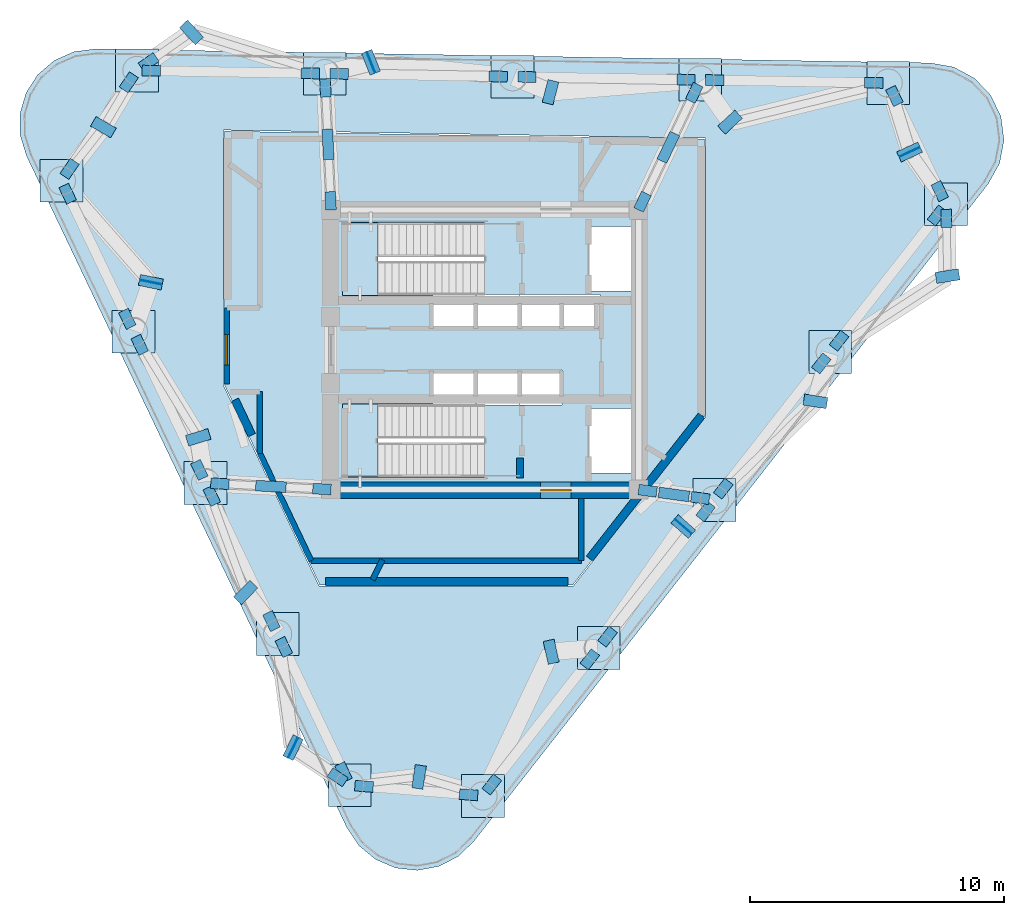
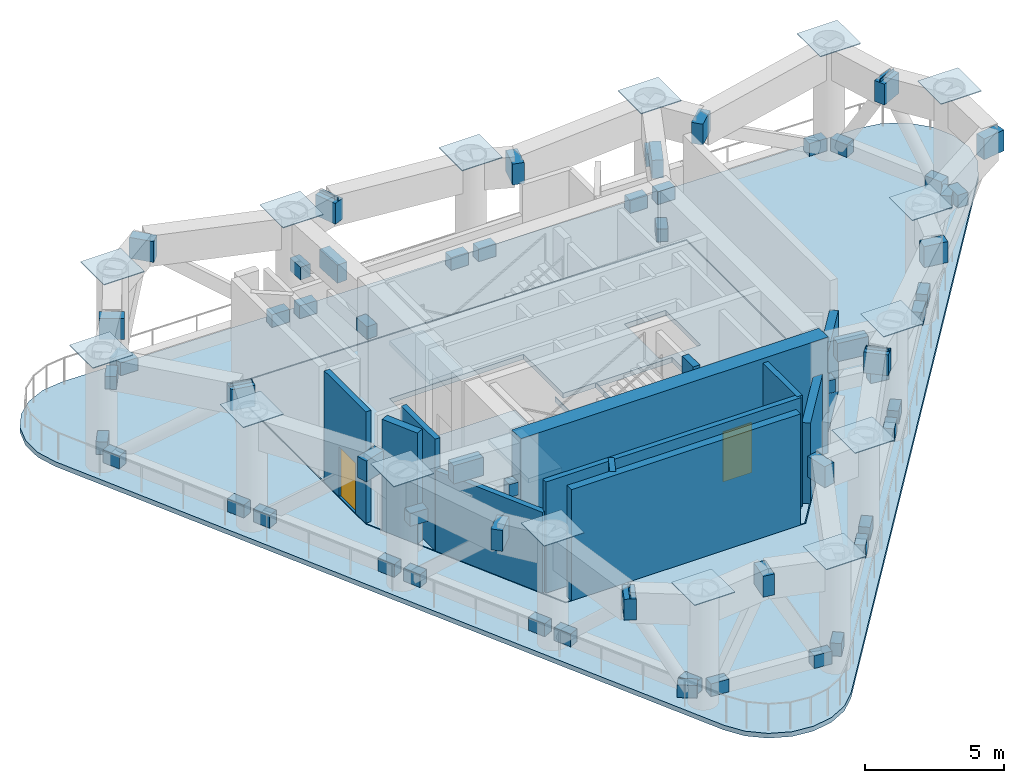
# One storey, part 3 of 8: 80 plates, 11 walls, 4 slabs, 2 doors, 2 openings, 2 elements without a shape of their own.
"""IFC4 building model written with IfcOpenShell, lengths in metres."""

from ifc_helpers import new_model, si_unit, direction, frame, frame_2d, origin, origin_2d, place, context, subcontext, project, spatial, polyline, rectangle, outline, extrude, source, transform, mapped, material, layer, layer_set, type_object, element, fill, aggregate, save


model = new_model("IFC4")

# Units and contexts
model_context = context("Model", 3, precision=1e-05, world=origin(), true_north=direction((0.0, 1.0)))
body_context = subcontext(model_context, "Body", "Model", "MODEL_VIEW")
ifc_project = project(units=[si_unit("LENGTHUNIT", "METRE"), si_unit("AREAUNIT", "SQUARE_METRE"), si_unit("VOLUMEUNIT", "CUBIC_METRE"), si_unit("PLANEANGLEUNIT", "RADIAN"), si_unit("MASSUNIT", "GRAM", prefix="KILO")], contexts=[model_context])

# Site, building, storey
site_placement = place(None, origin())
site = spatial("IfcSite", under=ifc_project, at=site_placement, CompositionType="ELEMENT")
building_placement = place(site_placement, origin())
building = spatial("IfcBuilding", under=site, at=building_placement, Name="Yunling Apex Tower", CompositionType="ELEMENT")
storey_placement = place(building_placement, frame((0.0, 0.0, 219.050048828125)))
storey = spatial("IfcBuildingStorey", under=building, at=storey_placement, Name="RF6", CompositionType="ELEMENT", Elevation=219.050048828125)

# Stair, slab
ifc_material_1 = material(Name="Concrete C40", Category="concrete")
stair_type = type_object("IfcStairType", Name="ST-TWR-1", PredefinedType="HALF_TURN_STAIR", material=ifc_material_1)
stair_1_placement = place(storey_placement, origin())
stair_1 = element("IfcStair", 1, at=stair_1_placement, inside=storey, type_object=stair_type, Name="RF6 North Core Smokeproof Exit Stair ST-1", PredefinedType="HALF_TURN_STAIR")
ifc_layer_1 = layer(ifc_material_1, 0.195068359375)
ifc_layer_set_1 = layer_set([ifc_layer_1], Name="Concrete C40")
slab_type_1 = type_object("IfcSlabType", Name="SL-LND-1", PredefinedType="LANDING", material=ifc_layer_set_1)
slab_1_placement = place(storey_placement, frame((0.0, 0.0, 2.35498046875)))
slab_1 = element("IfcSlab", 2, at=slab_1_placement, type_object=slab_type_1, Name="ST-1 landing 1", PredefinedType="LANDING", context=body_context, shape_type="SweptSolid", body=[
    extrude(outline(polyline([(-4.2099609375, 5.010009765625), (-5.60009765625, 5.010009765625), (-5.60009765625, 2.139892578125), (-4.2099609375, 2.139892578125), (-4.2099609375, 5.010009765625)])), origin(), (0.0, 0.0, 1.0), 0.195068359375),
])
aggregate(stair_1, [slab_1])

stair_2_placement = place(storey_placement, origin())
stair_2 = element("IfcStair", 3, at=stair_2_placement, inside=storey, type_object=stair_type, Name="RF6 South Core Smokeproof Exit Stair ST-2", PredefinedType="HALF_TURN_STAIR")
slab_2_placement = place(storey_placement, frame((0.0, 0.0, 2.35498046875)))
slab_2 = element("IfcSlab", 4, at=slab_2_placement, type_object=slab_type_1, Name="ST-2 landing 1", PredefinedType="LANDING", context=body_context, shape_type="SweptSolid", body=[
    extrude(outline(polyline([(-4.2099609375, -2.139892578125), (-5.60009765625, -2.139892578125), (-5.60009765625, -5.010009765625), (-4.2099609375, -5.010009765625), (-4.2099609375, -2.139892578125)])), origin(), (0.0, 0.0, 1.0), 0.195068359375),
])
aggregate(stair_2, [slab_2])

# Slabs
ifc_layer_2 = layer(ifc_material_1, 0.219970703125)
ifc_layer_set_2 = layer_set([ifc_layer_2], Name="Concrete C40")
slab_type_2 = type_object("IfcSlabType", Name="SL-RFG-1", PredefinedType="FLOOR", material=ifc_layer_set_2)
slab_3_placement = place(storey_placement, frame((0.0, 0.0, -0.219970703125)))
element("IfcSlab", 5, at=slab_3_placement, inside=storey, type_object=slab_type_2, Name="RF6 Mechanical & Belt-Truss Interior Slab", PredefinedType="FLOOR", context=body_context, shape_type="SweptSolid", body=[
    extrude(outline(polyline([(8.64990234375, 8.28466796875), (-10.25, 8.601318359375), (-10.25, -1.373291015625), (-6.492919921875, -9.25), (3.464599609375, -9.25), (8.64990234375, -2.622314453125), (8.64990234375, 8.28466796875)]), holes=[polyline([(5.81005859375, -2.320068359375), (5.81005859375, -4.840087890625), (4.090087890625, -4.840087890625), (4.090087890625, -2.320068359375), (5.81005859375, -2.320068359375)]), polyline([(5.81005859375, 4.840087890625), (5.81005859375, 2.320068359375), (4.090087890625, 2.320068359375), (4.090087890625, 4.840087890625), (5.81005859375, 4.840087890625)]), polyline([(4.534912109375, 0.794921875), (1.364990234375, 0.794921875), (1.364990234375, 2.1650390625), (4.534912109375, 2.1650390625), (4.534912109375, 0.794921875)]), polyline([(3.034912109375, -0.794921875), (3.034912109375, -2.1650390625), (1.364990234375, -2.1650390625), (1.364990234375, -0.794921875), (3.034912109375, -0.794921875)]), polyline([(-2.034912109375, -0.794921875), (-0.364990234375, -0.794921875), (-0.364990234375, -2.139892578125), (-0.3349609375, -2.139892578125), (-0.3349609375, -0.794921875), (1.3349609375, -0.794921875), (1.3349609375, -2.1650390625), (-0.010009765625, -2.1650390625), (-0.010009765625, -5.010009765625), (-5.60009765625, -5.010009765625), (-5.60009765625, -2.139892578125), (-2.034912109375, -2.139892578125), (-2.034912109375, -0.794921875)]), polyline([(-5.60009765625, 2.139892578125), (-5.60009765625, 5.010009765625), (-0.010009765625, 5.010009765625), (-0.010009765625, 2.1650390625), (1.3349609375, 2.1650390625), (1.3349609375, 0.794921875), (-0.3349609375, 0.794921875), (-0.3349609375, 2.139892578125), (-0.364990234375, 2.139892578125), (-0.364990234375, 0.794921875), (-2.034912109375, 0.794921875), (-2.034912109375, 2.139892578125), (-5.60009765625, 2.139892578125)])]), origin(), (0.0, 0.0, 1.0), 0.219970703125),
])
ifc_layer_3 = layer(ifc_material_1, 0.2099609375)
ifc_layer_set_3 = layer_set([ifc_layer_3], Name="Concrete C40")
slab_type_3 = type_object("IfcSlabType", Name="SL-RFG-EXT", PredefinedType="FLOOR", material=ifc_layer_set_3)
slab_4_placement = place(storey_placement, frame((0.0, 0.0, -0.2099609375)))
element("IfcSlab", 6, at=slab_4_placement, inside=storey, type_object=slab_type_3, Name="RF6 Open Refuge Perimeter Terrace Band", PredefinedType="FLOOR", context=body_context, shape_type="SweptSolid", body=[
    extrude(outline(polyline([(-5.42578125, -18.80419921875), (-4.95068359375, -19.513427734375), (-4.29248046875, -20.056884765625), (-3.506103515625, -20.38916015625), (-2.65771484375, -20.482421875), (-1.818115234375, -20.32861328125), (-1.0576171875, -19.941162109375), (-0.439697265625, -19.35205078125), (19.8017578125, 6.518798828125), (20.25244140625, 7.333251953125), (20.427001953125, 8.24755859375), (20.307861328125, 9.1708984375), (19.9072265625, 10.010986328125), (19.2646484375, 10.684326171875), (18.4443359375, 11.1240234375), (17.527587890625, 11.286376953125), (-15.316162109375, 11.8369140625), (-16.16259765625, 11.7275390625), (-16.9423828125, 11.38037109375), (-17.59033203125, 10.824462890625), (-18.0517578125, 10.1064453125), (-18.288330078125, 9.286376953125), (-18.2802734375, 8.4326171875), (-18.0283203125, 7.6171875), (-5.42578125, -18.80419921875)]), holes=[polyline([(3.48388671875, -9.2900390625), (-6.518310546875, -9.2900390625), (-10.2900390625, -1.38232421875), (-10.2900390625, 8.64208984375), (8.68994140625, 8.323974609375), (8.68994140625, -2.635986328125), (3.48388671875, -9.2900390625)])]), origin(), (0.0, 0.0, 1.0), 0.2099609375),
])

# Plates
ifc_material_2 = material(Name="Steel Q355B", Category="steel")
ifc_layer_4 = layer(ifc_material_2, 0.030029296875)
ifc_layer_set_4 = layer_set([ifc_layer_4], Name="Steel Q355B")
plate_type_1 = type_object("IfcPlateType", Name="NP-CAP-1", PredefinedType="USERDEFINED", material=ifc_layer_set_4)
shared_shape_1 = source(origin(), body_context, "Body", "SweptSolid", [
    extrude(rectangle(XDim=1.679931640625, YDim=1.679931640625, at=origin_2d()), origin(), (0.0, 0.0, 1.0), 0.035888671875),
])
for number, where, z_axis, x_axis, name in (
    (7, (-0.073486328125, -17.55322265625, 4.9970703125), (0.0, 0.0, 1.0), (1.0, 0.0, 0.0), "RF6 Lower-Block CFST Column Top Cap Plate P01"),
    (8, (4.480712890625, -11.732177734375, 4.9970703125), (0.0, 0.0, 1.0), (1.0, 0.0, 0.0), "RF6 Lower-Block CFST Column Top Cap Plate P02"),
    (9, (9.03515625, -5.911376953125, 4.9970703125), (0.0, 0.0, 1.0), (1.0, 0.0, 0.0), "RF6 Lower-Block CFST Column Top Cap Plate P03"),
    (10, (13.589599609375, -0.09033203125, 4.9970703125), (0.0, 0.0, 1.0), (1.0, 0.0, 0.0), "RF6 Lower-Block CFST Column Top Cap Plate P04"),
    (11, (18.143798828125, 5.730712890625, 4.9970703125), (0.0, 0.0, 1.0), (1.0, 0.0, 0.0), "RF6 Lower-Block CFST Column Top Cap Plate P05"),
    (12, (15.871826171875, 10.493896484375, 4.9970703125), (0.0, 0.0, 1.0), (1.0, 0.0, 0.0), "RF6 Lower-Block CFST Column Top Cap Plate P06"),
    (13, (8.48193359375, 10.617919921875, 4.9970703125), (0.0, 0.0, 1.0), (1.0, 0.0, 0.0), "RF6 Lower-Block CFST Column Top Cap Plate P07"),
    (14, (1.092041015625, 10.74169921875, 4.9970703125), (0.0, 0.0, 1.0), (1.0, 0.0, 0.0), "RF6 Lower-Block CFST Column Top Cap Plate P08"),
    (15, (-6.2978515625, 10.865478515625, 4.9970703125), (0.0, 0.0, 1.0), (1.0, 0.0, 0.0), "RF6 Lower-Block CFST Column Top Cap Plate P09"),
    (16, (-13.687744140625, 10.989501953125, 4.9970703125), (0.0, 0.0, 1.0), (1.0, 0.0, 0.0), "RF6 Lower-Block CFST Column Top Cap Plate P10"),
    (17, (-16.657958984375, 6.649169921875, 4.9970703125), (0.0, 0.0, 1.0), (1.0, 0.0, 0.0), "RF6 Lower-Block CFST Column Top Cap Plate P11"),
    (18, (-13.822509765625, 0.704345703125, 4.9970703125), (0.0, 0.0, 1.0), (1.0, 0.0, 0.0), "RF6 Lower-Block CFST Column Top Cap Plate P12"),
    (19, (-10.98681640625, -5.240478515625, 4.9970703125), (0.0, 0.0, 1.0), (1.0, 0.0, 0.0), "RF6 Lower-Block CFST Column Top Cap Plate P13"),
    (20, (-8.1513671875, -11.185302734375, 4.9970703125), (0.0, 0.0, 1.0), (1.0, 0.0, 0.0), "RF6 Lower-Block CFST Column Top Cap Plate P14"),
    (21, (-5.31591796875, -17.130126953125, 4.9970703125), (0.0, 0.0, 1.0), (1.0, 0.0, 0.0), "RF6 Lower-Block CFST Column Top Cap Plate P15"),
):
    element("IfcPlate", number, at=place(storey_placement, frame(where, z_axis=z_axis, x_axis=x_axis)), inside=storey, type_object=plate_type_1, Name=name, ObjectType="CAP_PLATE", PredefinedType="USERDEFINED", context=body_context, shape_type="MappedRepresentation", body=[
        mapped(shared_shape_1, transform((0.0, 0.0, 0.0), scale=1.0)),
    ])
ifc_layer_5 = layer(ifc_material_2, 0.035888671875)
ifc_layer_set_5 = layer_set([ifc_layer_5], Name="Steel Q355B")
plate_type_2 = type_object("IfcPlateType", Name="NP-GUS-1", PredefinedType="USERDEFINED", material=ifc_layer_set_5)
shared_shape_2 = source(origin(), body_context, "Body", "SweptSolid", [
    extrude(rectangle(XDim=0.719970703125, YDim=0.419921875, at=origin_2d()), origin(), (0.0, 0.0, 1.0), 0.56005859375),
])
for number, where, z_axis, x_axis, name in (
    (22, (0.27587890625, -17.106689453125, 0.27001953125), (0.0, 0.0, 1.0), (0.616211460536, 0.787580748815, 0.0), "RF6 Belt Chord End Gusset Plate 221"),
    (23, (4.13134765625, -12.1787109375, 0.27001953125), (0.0, 0.0, 1.0), (0.616211460536, 0.787580748815, 0.0), "RF6 Belt Chord End Gusset Plate 222"),
    (24, (4.830078125, -11.28564453125, 0.27001953125), (0.0, 0.0, 1.0), (0.616211460536, 0.787580748815, 0.0), "RF6 Belt Chord End Gusset Plate 223"),
    (25, (8.685791015625, -6.35791015625, 0.27001953125), (0.0, 0.0, 1.0), (0.616211460536, 0.787580748815, 0.0), "RF6 Belt Chord End Gusset Plate 224"),
    (26, (9.384521484375, -5.464599609375, 0.27001953125), (0.0, 0.0, 1.0), (0.616211460536, 0.787580748815, 0.0), "RF6 Belt Chord End Gusset Plate 225"),
    (27, (13.239990234375, -0.536865234375, 0.27001953125), (0.0, 0.0, 1.0), (0.616211460536, 0.787580748815, 0.0), "RF6 Belt Chord End Gusset Plate 226"),
    (28, (13.93896484375, 0.356201171875, 0.27001953125), (0.0, 0.0, 1.0), (0.616211460536, 0.787580748815, 0.0), "RF6 Belt Chord End Gusset Plate 227"),
    (29, (17.79443359375, 5.283935546875, 0.27001953125), (0.0, 0.0, 1.0), (0.616211460536, 0.787580748815, 0.0), "RF6 Belt Chord End Gusset Plate 228"),
    (30, (17.899658203125, 6.242431640625, 0.27001953125), (0.0, 0.0, 1.0), (-0.430511096808, 0.90258528435, 0.0), "RF6 Belt Chord End Gusset Plate 229"),
    (31, (16.115966796875, 9.982177734375, 0.27001953125), (0.0, 0.0, 1.0), (-0.430511096808, 0.90258528435, 0.0), "RF6 Belt Chord End Gusset Plate 230"),
    (32, (15.304931640625, 10.50341796875, 0.27001953125), (0.0, 0.0, 1.0), (-0.999859635577, 0.016754376869, 0.0), "RF6 Belt Chord End Gusset Plate 231"),
    (33, (9.048828125, 10.6083984375, 0.27001953125), (0.0, 0.0, 1.0), (-0.999859635577, 0.016754376869, 0.0), "RF6 Belt Chord End Gusset Plate 232"),
    (34, (7.9150390625, 10.627197265625, 0.27001953125), (0.0, 0.0, 1.0), (-0.999859635577, 0.016754376869, 0.0), "RF6 Belt Chord End Gusset Plate 233"),
    (35, (1.658935546875, 10.732177734375, 0.27001953125), (0.0, 0.0, 1.0), (-0.999859635577, 0.016754376869, 0.0), "RF6 Belt Chord End Gusset Plate 234"),
    (36, (0.525146484375, 10.751220703125, 0.27001953125), (0.0, 0.0, 1.0), (-0.999859635577, 0.016754376869, 0.0), "RF6 Belt Chord End Gusset Plate 235"),
    (37, (-5.73095703125, 10.85595703125, 0.27001953125), (0.0, 0.0, 1.0), (-0.999859635577, 0.016754376869, 0.0), "RF6 Belt Chord End Gusset Plate 236"),
    (38, (-6.86474609375, 10.875, 0.27001953125), (0.0, 0.0, 1.0), (-0.999859635577, 0.016754376869, 0.0), "RF6 Belt Chord End Gusset Plate 237"),
    (39, (-13.120849609375, 10.97998046875, 0.27001953125), (0.0, 0.0, 1.0), (-0.999859635577, 0.016754376869, 0.0), "RF6 Belt Chord End Gusset Plate 238"),
    (40, (-14.0078125, 10.521484375, 0.27001953125), (0.0, 0.0, 1.0), (-0.564822985348, -0.825212091054, 0.0), "RF6 Belt Chord End Gusset Plate 239"),
    (41, (-16.337890625, 7.116943359375, 0.27001953125), (0.0, 0.0, 1.0), (-0.564822985348, -0.825212091054, 0.0), "RF6 Belt Chord End Gusset Plate 240"),
    (42, (-16.413818359375, 6.13720703125, 0.27001953125), (0.0, 0.0, 1.0), (0.430511096808, -0.90258528435, 0.0), "RF6 Belt Chord End Gusset Plate 241"),
    (43, (-14.06640625, 1.216064453125, 0.27001953125), (0.0, 0.0, 1.0), (0.430511096808, -0.90258528435, 0.0), "RF6 Belt Chord End Gusset Plate 242"),
    (44, (-13.578369140625, 0.1923828125, 0.27001953125), (0.0, 0.0, 1.0), (0.430511096808, -0.90258528435, 0.0), "RF6 Belt Chord End Gusset Plate 243"),
    (45, (-11.23095703125, -4.728759765625, 0.27001953125), (0.0, 0.0, 1.0), (0.430511096808, -0.90258528435, 0.0), "RF6 Belt Chord End Gusset Plate 244"),
    (46, (-10.742919921875, -5.752197265625, 0.27001953125), (0.0, 0.0, 1.0), (0.430511096808, -0.90258528435, 0.0), "RF6 Belt Chord End Gusset Plate 245"),
    (47, (-8.3955078125, -10.673583984375, 0.27001953125), (0.0, 0.0, 1.0), (0.430511096808, -0.90258528435, 0.0), "RF6 Belt Chord End Gusset Plate 246"),
    (48, (-7.9072265625, -11.697021484375, 0.27001953125), (0.0, 0.0, 1.0), (0.430511096808, -0.90258528435, 0.0), "RF6 Belt Chord End Gusset Plate 247"),
    (49, (-5.559814453125, -16.618408203125, 0.27001953125), (0.0, 0.0, 1.0), (0.430511096808, -0.90258528435, 0.0), "RF6 Belt Chord End Gusset Plate 248"),
    (50, (-4.75048828125, -17.17578125, 0.27001953125), (0.0, 0.0, 1.0), (0.996764865922, -0.08037289384, 0.0), "RF6 Belt Chord End Gusset Plate 249"),
    (51, (-0.638671875, -17.507568359375, 0.27001953125), (0.0, 0.0, 1.0), (0.996764865922, -0.08037289384, 0.0), "RF6 Belt Chord End Gusset Plate 250"),
    (52, (18.156005859375, 5.165771484375, 0.27001953125), (0.0, 0.0, 1.0), (0.021640393312, -0.999765819268, 0.0), "RF6 Belt Diagonal Foot Gusset Plate 251"),
    (53, (-13.224609375, 11.31298828125, 0.27001953125), (0.0, 0.0, 1.0), (0.819652272182, 0.572861373028, 0.0), "RF6 Belt Diagonal Foot Gusset Plate 252"),
    (54, (-5.786865234375, -16.818115234375, 0.27001953125), (0.0, 0.0, 1.0), (-0.833596714243, 0.552373531229, 0.0), "RF6 Belt Diagonal Foot Gusset Plate 253"),
):
    element("IfcPlate", number, at=place(storey_placement, frame(where, z_axis=z_axis, x_axis=x_axis)), inside=storey, type_object=plate_type_2, Name=name, ObjectType="GUSSET_PLATE", PredefinedType="USERDEFINED", context=body_context, shape_type="MappedRepresentation", body=[
        mapped(shared_shape_2, transform((0.0, 0.0, 0.0), scale=1.0)),
    ])
shared_shape_3 = source(origin(), body_context, "Body", "SweptSolid", [
    extrude(rectangle(XDim=0.919921875, YDim=0.43994140625, at=origin_2d()), origin(), (0.0, 0.0, 1.0), 0.919921875),
])
for number, where, z_axis, x_axis, name in (
    (55, (-2.58740234375, -16.807861328125, 3.784912109375), (0.0, 0.0, 1.0), (-0.15212338619, -0.988361510468, 0.0), "RF6 Belt-Truss Node Gusset Plate 1"),
    (56, (2.61083984375, -11.8818359375, 3.784912109375), (0.0, 0.0, 1.0), (0.214564862428, -0.976709741843, 0.0), "RF6 Belt-Truss Node Gusset Plate 2"),
    (57, (7.80908203125, -6.9560546875, 3.784912109375), (0.0, 0.0, 1.0), (0.746754275513, -0.665100031577, 0.0), "RF6 Belt-Truss Node Gusset Plate 3"),
    (58, (13.007080078125, -2.030029296875, 3.784912109375), (0.0, 0.0, 1.0), (0.988040736507, -0.15419307054, 0.0), "RF6 Belt-Truss Node Gusset Plate 4"),
    (59, (18.205322265625, 2.89599609375, 3.784912109375), (0.0, 0.0, 1.0), (0.987578888051, 0.157123963403, 0.0), "RF6 Belt-Truss Node Gusset Plate 5"),
    (60, (16.712158203125, 7.779296875, 3.784912109375), (0.0, 0.0, 1.0), (0.906602609357, 0.421985436606, 0.0), "RF6 Belt-Truss Node Gusset Plate 6"),
    (61, (9.648193359375, 8.95654296875, 3.784912109375), (0.0, 0.0, 1.0), (0.732899222969, 0.6803372171, 0.0), "RF6 Belt-Truss Node Gusset Plate 7"),
    (62, (2.584228515625, 10.133544921875, 3.784912109375), (0.0, 0.0, 1.0), (0.24716813411, 0.968972607188, 0.0), "RF6 Belt-Truss Node Gusset Plate 8"),
    (63, (-4.479736328125, 11.310546875, 3.784912109375), (0.0, 0.0, 1.0), (-0.368286823687, 0.929712221872, 0.0), "RF6 Belt-Truss Node Gusset Plate 9"),
    (64, (-11.543701171875, 12.487548828125, 3.784912109375), (0.0, 0.0, 1.0), (-0.678800745533, 0.734322509436, 0.0), "RF6 Belt-Truss Node Gusset Plate 10"),
    (65, (-15.007568359375, 8.7587890625, 3.784912109375), (0.0, 0.0, 1.0), (-0.863659602288, 0.504075481823, 0.0), "RF6 Belt-Truss Node Gusset Plate 11"),
    (66, (-13.1416015625, 2.65576171875, 3.784912109375), (0.0, 0.0, 1.0), (-0.980202119474, 0.197999507521, 0.0), "RF6 Belt-Truss Node Gusset Plate 12"),
    (67, (-11.27587890625, -3.447509765625, 3.784912109375), (0.0, 0.0, 1.0), (-0.956304755963, -0.292371704723, 0.0), "RF6 Belt-Truss Node Gusset Plate 13"),
    (68, (-9.409912109375, -9.55029296875, 3.784912109375), (0.0, 0.0, 1.0), (-0.701904466245, -0.712271100259, 0.0), "RF6 Belt-Truss Node Gusset Plate 14"),
    (69, (-7.5439453125, -15.6533203125, 3.784912109375), (0.0, 0.0, 1.0), (-0.434130827946, -0.900849834449, 0.0), "RF6 Belt-Truss Node Gusset Plate 15"),
):
    element("IfcPlate", number, at=place(storey_placement, frame(where, z_axis=z_axis, x_axis=x_axis)), inside=storey, type_object=plate_type_2, Name=name, ObjectType="GUSSET_PLATE", PredefinedType="USERDEFINED", context=body_context, shape_type="MappedRepresentation", body=[
        mapped(shared_shape_3, transform((0.0, 0.0, 0.0), scale=1.0)),
    ])
shared_shape_4 = source(origin(), body_context, "Body", "SweptSolid", [
    extrude(rectangle(XDim=0.85009765625, YDim=0.030029296875, at=origin_2d()), origin(), (0.0, 0.0, 1.0), 0.85009765625),
])
for number, where, z_axis, x_axis, name in (
    (70, (7.80908203125, -6.9560546875, 3.969970703125), (0.0, 0.0, 1.0), (0.746754275513, -0.665100031577, 0.0), "RF6 Box Ring Girder End Cap Plate 3"),
    (71, (16.712158203125, 7.779296875, 3.969970703125), (0.0, 0.0, 1.0), (0.906602609357, 0.421985436606, 0.0), "RF6 Box Ring Girder End Cap Plate 6"),
    (72, (-4.479736328125, 11.310546875, 3.969970703125), (0.0, 0.0, 1.0), (-0.368286823687, 0.929712221872, 0.0), "RF6 Box Ring Girder End Cap Plate 9"),
    (73, (-13.1416015625, 2.65576171875, 3.969970703125), (0.0, 0.0, 1.0), (-0.980202119474, 0.197999507521, 0.0), "RF6 Box Ring Girder End Cap Plate 12"),
    (74, (-7.5439453125, -15.6533203125, 3.969970703125), (0.0, 0.0, 1.0), (-0.434130827946, -0.900849834449, 0.0), "RF6 Box Ring Girder End Cap Plate 15"),
):
    element("IfcPlate", number, at=place(storey_placement, frame(where, z_axis=z_axis, x_axis=x_axis)), inside=storey, type_object=plate_type_1, Name=name, ObjectType="CAP_PLATE", PredefinedType="USERDEFINED", context=body_context, shape_type="MappedRepresentation", body=[
        mapped(shared_shape_4, transform((0.0, 0.0, 0.0), scale=1.0)),
    ])
ifc_layer_6 = layer(ifc_material_2, 0.031982421875)
ifc_layer_set_6 = layer_set([ifc_layer_6], Name="Steel Q355B")
plate_type_3 = type_object("IfcPlateType", Name="NP-GUS-2", PredefinedType="USERDEFINED", material=ifc_layer_set_6)
shared_shape_5 = source(origin(), body_context, "Body", "SweptSolid", [
    extrude(rectangle(XDim=1.199951171875, YDim=0.419921875, at=origin_2d()), origin(), (0.0, 0.0, 1.0), 0.800048828125),
])
for number, where, z_axis, x_axis, name in (
    (75, (-8.416015625, -5.375732421875, 3.8447265625), (0.0, 0.0, 1.0), (-0.998620385197, 0.052510249179, 0.0), "RF6 Outrigger Mid-Top Gusset Plate 1"),
    (76, (7.44091796875, -5.691650390625, 3.8447265625), (0.0, 0.0, 1.0), (0.990629029058, -0.136580111242, 0.0), "RF6 Outrigger Mid-Top Gusset Plate 2"),
    (77, (7.221923828125, 7.96630859375, 3.8447265625), (0.0, 0.0, 1.0), (0.429250430767, 0.903185511225, 0.0), "RF6 Outrigger Mid-Top Gusset Plate 3"),
    (78, (-6.169189453125, 8.080322265625, 3.8447265625), (0.0, 0.0, 1.0), (-0.046060390041, 0.99893865701, 0.0), "RF6 Outrigger Mid-Top Gusset Plate 4"),
):
    element("IfcPlate", number, at=place(storey_placement, frame(where, z_axis=z_axis, x_axis=x_axis)), inside=storey, type_object=plate_type_3, Name=name, ObjectType="GUSSET_PLATE", PredefinedType="USERDEFINED", context=body_context, shape_type="MappedRepresentation", body=[
        mapped(shared_shape_5, transform((0.0, 0.0, 0.0), scale=1.0)),
    ])
shared_shape_6 = source(origin(), body_context, "Body", "SweptSolid", [
    extrude(rectangle(XDim=0.719970703125, YDim=0.419921875, at=origin_2d()), origin(), (0.0, 0.0, 1.0), 0.56005859375),
])
for number, where, z_axis, x_axis, name in (
    (79, (-6.409423828125, -5.481201171875, 2.5400390625), (0.0, 0.0, 1.0), (-0.998620385197, 0.052510249179, 0.0), "RF6 Outrigger Core Embed Gusset Plate 254"),
    (80, (-10.422607421875, -5.270263671875, 2.5400390625), (0.0, 0.0, 1.0), (-0.998620385197, 0.052510249179, 0.0), "RF6 Outrigger Column Gusset Plate 255"),
    (81, (6.406494140625, -5.549072265625, 2.5400390625), (0.0, 0.0, 1.0), (0.990629029058, -0.136580111242, 0.0), "RF6 Outrigger Core Embed Gusset Plate 256"),
    (82, (8.475341796875, -5.834228515625, 2.5400390625), (0.0, 0.0, 1.0), (0.990629029058, -0.136580111242, 0.0), "RF6 Outrigger Column Gusset Plate 257"),
    (83, (6.20458984375, 5.8251953125, 2.5400390625), (0.0, 0.0, 1.0), (0.429250430767, 0.903185511225, 0.0), "RF6 Outrigger Core Embed Gusset Plate 258"),
    (84, (8.239501953125, 10.107421875, 2.5400390625), (0.0, 0.0, 1.0), (0.429250430767, 0.903185511225, 0.0), "RF6 Outrigger Column Gusset Plate 259"),
    (85, (-6.066650390625, 5.859619140625, 2.5400390625), (0.0, 0.0, 1.0), (-0.046060390041, 0.99893865701, 0.0), "RF6 Outrigger Core Embed Gusset Plate 260"),
    (86, (-6.271728515625, 10.301025390625, 2.5400390625), (0.0, 0.0, 1.0), (-0.046060390041, 0.99893865701, 0.0), "RF6 Outrigger Column Gusset Plate 261"),
):
    element("IfcPlate", number, at=place(storey_placement, frame(where, z_axis=z_axis, x_axis=x_axis)), inside=storey, type_object=plate_type_3, Name=name, ObjectType="GUSSET_PLATE", PredefinedType="USERDEFINED", context=body_context, shape_type="MappedRepresentation", body=[
        mapped(shared_shape_6, transform((0.0, 0.0, 0.0), scale=1.0)),
    ])

# Wall, opening, door
ifc_material_3 = material(Name="Concrete C50", Category="concrete")
ifc_layer_7 = layer(ifc_material_3, 0.64990234375)
ifc_layer_set_7 = layer_set([ifc_layer_7], Name="Concrete C50")
wall_type_1 = type_object("IfcWallType", Name="WL-COR-2", PredefinedType="SHEAR", material=ifc_layer_set_7)
wall_1_placement = place(storey_placement, frame((-6.39990234375, -5.52490234375, 0.0), z_axis=(0.0, 0.0, 1.0), x_axis=(1.0, 0.0, 0.0)))
wall_1 = element("IfcWall", 87, at=wall_1_placement, inside=storey, type_object=wall_type_1, Name="RF6 South Core Shear Wall", PredefinedType="SHEAR", context=body_context, shape_type="SweptSolid", body=[
    extrude(rectangle(XDim=12.7998046875, YDim=0.64990234375, at=frame_2d((6.39990234375, 0.0))), origin(), (0.0, 0.0, 1.0), 5.099853515625),
])
opening_1_placement = place(wall_1_placement, frame((8.60009765625, 0.0, 0.0)))
opening_1 = element("IfcOpeningElement", 88, at=opening_1_placement, cuts=wall_1, Name="Opening DR-FFL-1", PredefinedType="OPENING", context=body_context, shape_type="SweptSolid", body=[
    extrude(rectangle(XDim=1.199951171875, YDim=2.199951171875, at=frame_2d((0.60009765625, 1.10009765625))), frame((0.0, 0.3349609375, 0.0), z_axis=(0.0, -1.0, 0.0), x_axis=(1.0, 0.0, 0.0)), (0.0, 0.0, 1.0), 0.669921875),
])
door_type = type_object("IfcDoorType", Name="DR-FFL-1", OperationType="NOTDEFINED", PredefinedType="DOOR", material=ifc_material_2)
door_1_placement = place(opening_1_placement, origin())
door_1 = element("IfcDoor", 89, at=door_1_placement, inside=storey, type_object=door_type, Name="RF6 South Firefighting Lobby Door", OperationType="SINGLE_SWING_RIGHT", OverallHeight=2.199951171875, OverallWidth=1.199951171875, PredefinedType="DOOR", context=body_context, shape_type="SweptSolid", body=[
    extrude(rectangle(XDim=1.199951171875, YDim=2.199951171875, at=frame_2d((0.60009765625, 1.10009765625))), frame((0.0, 0.02490234375, 0.0), z_axis=(0.0, -1.0, 0.0), x_axis=(1.0, 0.0, 0.0)), (0.0, 0.0, 1.0), 0.050048828125),
])
fill(opening_1, door_1)

# Walls
ifc_layer_8 = layer(ifc_material_1, 0.280029296875)
ifc_layer_set_8 = layer_set([ifc_layer_8], Name="Concrete C40")
wall_type_2 = type_object("IfcWallType", Name="WL-COR-8", PredefinedType="SHEAR", material=ifc_layer_set_8)
wall_2_placement = place(storey_placement, frame((1.3798828125, -5.050048828125, 0.0), z_axis=(0.0, 0.0, 1.0), x_axis=(0.0, 1.0, 0.0)))
element("IfcWall", 90, at=wall_2_placement, inside=storey, type_object=wall_type_2, Name="RF6 ST-2 East Landing Bearing Pier", PredefinedType="SHEAR", context=body_context, shape_type="SweptSolid", body=[
    extrude(rectangle(XDim=0.800048828125, YDim=0.280029296875, at=frame_2d((0.39990234375, 0.0))), origin(), (0.0, 0.0, 1.0), 5.099853515625),
])
ifc_material_4 = material(Name="Precast concrete C40", Category="concrete")
ifc_layer_9 = layer(ifc_material_4, 0.320068359375)
ifc_layer_set_9 = layer_set([ifc_layer_9], Name="Precast concrete C40")
wall_type_3 = type_object("IfcWallType", Name="WL-EXT-1", PredefinedType="SOLIDWALL", material=ifc_layer_set_9)
wall_3_placement = place(storey_placement, frame((8.530029296875, -2.580810546875, 0.0), z_axis=(0.0, 0.0, 1.0), x_axis=(-0.616200634927, -0.787589218765, 0.0)))
element("IfcWall", 91, at=wall_3_placement, inside=storey, type_object=wall_type_3, Name="WL-RF6-IR-01", PredefinedType="SOLIDWALL", context=body_context, shape_type="SweptSolid", body=[
    extrude(rectangle(XDim=7.15673828125, YDim=0.320068359375, at=frame_2d((3.578369140625, 0.0))), origin(), (0.0, 0.0, 1.0), 3.554931640625),
])
wall_4_placement = place(storey_placement, frame((3.26611328125, -9.1298828125, 0.0), z_axis=(0.0, 0.0, 1.0), x_axis=(-1.0, 0.0, 0.0)))
element("IfcWall", 92, at=wall_4_placement, inside=storey, type_object=wall_type_3, Name="WL-RF6-IR-02", PredefinedType="SOLIDWALL", context=body_context, shape_type="SweptSolid", body=[
    extrude(rectangle(XDim=9.543212890625, YDim=0.320068359375, at=frame_2d((4.771484375, 0.0))), origin(), (0.0, 0.0, 1.0), 4.89990234375),
])
wall_5_placement = place(storey_placement, frame((-9.169921875, -3.358642578125, 0.0), z_axis=(0.0, 0.0, 1.0), x_axis=(-0.430635595631, 0.902525890917, 0.0)))
element("IfcWall", 93, at=wall_5_placement, inside=storey, type_object=wall_type_3, Name="WL-RF6-IR-03", PredefinedType="SOLIDWALL", context=body_context, shape_type="SweptSolid", body=[
    extrude(rectangle(XDim=1.53857421875, YDim=0.320068359375, at=frame_2d((0.769287109375, 0.0))), origin(), (0.0, 0.0, 1.0), 4.89990234375),
])
ifc_material_5 = material(Name="Autoclaved aerated concrete masonry", Category="masonry")
ifc_layer_10 = layer(ifc_material_5, 0.219970703125)
ifc_layer_set_10 = layer_set([ifc_layer_10], Name="Autoclaved aerated concrete masonry")
wall_type_4 = type_object("IfcWallType", Name="WL-SHF-1", PredefinedType="PLUMBINGWALL", material=ifc_layer_set_10)
wall_6_placement = place(storey_placement, frame((-4.02880859375, -8.260009765625, 0.0), z_axis=(0.0, 0.0, 1.0), x_axis=(-0.438303234839, -0.898827165994, 0.0)))
element("IfcWall", 94, at=wall_6_placement, inside=storey, type_object=wall_type_4, Name="WL-RF6-PDIV-244", PredefinedType="PLUMBINGWALL", context=body_context, shape_type="SweptSolid", body=[
    extrude(rectangle(XDim=0.87890625, YDim=0.219970703125, at=frame_2d((0.439453125, 0.0))), origin(), (0.0, 0.0, 1.0), 4.89990234375),
])
wall_7_placement = place(storey_placement, frame((3.800048828125, -5.85009765625, 0.0), z_axis=(0.0, 0.0, 1.0), x_axis=(0.0, -1.0, 0.0)))
element("IfcWall", 95, at=wall_7_placement, inside=storey, type_object=wall_type_4, Name="WL-RF6-PCR-02", PredefinedType="PLUMBINGWALL", context=body_context, shape_type="SweptSolid", body=[
    extrude(rectangle(XDim=2.449951171875, YDim=0.219970703125, at=frame_2d((1.22509765625, 0.0))), origin(), (0.0, 0.0, 1.0), 4.89990234375),
])
wall_8_placement = place(storey_placement, frame((3.800048828125, -8.300048828125, 0.0), z_axis=(0.0, 0.0, 1.0), x_axis=(-1.0, 0.0, 0.0)))
element("IfcWall", 96, at=wall_8_placement, inside=storey, type_object=wall_type_4, Name="WL-RF6-PCR-03", PredefinedType="PLUMBINGWALL", context=body_context, shape_type="SweptSolid", body=[
    extrude(rectangle(XDim=10.63525390625, YDim=0.219970703125, at=frame_2d((5.317626953125, 0.0))), origin(), (0.0, 0.0, 1.0), 4.89990234375),
])
wall_9_placement = place(storey_placement, frame((-6.835205078125, -8.300048828125, 0.0), z_axis=(0.0, 0.0, 1.0), x_axis=(-0.430547064288, 0.902568127862, 0.0)))
element("IfcWall", 97, at=wall_9_placement, inside=storey, type_object=wall_type_4, Name="WL-RF6-PCR-04", PredefinedType="PLUMBINGWALL", context=body_context, shape_type="SweptSolid", body=[
    extrude(rectangle(XDim=4.679931640625, YDim=0.219970703125, at=frame_2d((2.33984375, 0.0))), origin(), (0.0, 0.0, 1.0), 3.554931640625),
])
wall_10_placement = place(storey_placement, frame((-8.85009765625, -4.076171875, 0.0), z_axis=(0.0, 0.0, 1.0), x_axis=(0.0, 1.0, 0.0)))
element("IfcWall", 98, at=wall_10_placement, inside=storey, type_object=wall_type_4, Name="WL-RF6-PCR-05", PredefinedType="PLUMBINGWALL", context=body_context, shape_type="SweptSolid", body=[
    extrude(rectangle(XDim=2.42626953125, YDim=0.219970703125, at=frame_2d((1.213134765625, 0.0))), origin(), (0.0, 0.0, 1.0), 4.89990234375),
])

# Wall, opening, door
wall_11_placement = place(storey_placement, frame((-10.14990234375, -1.34619140625, 0.0), z_axis=(0.0, 0.0, 1.0), x_axis=(0.0, 1.0, 0.0)))
wall_11 = element("IfcWall", 99, at=wall_11_placement, inside=storey, type_object=wall_type_4, Name="WL-RF6-PCR-08", PredefinedType="PLUMBINGWALL", context=body_context, shape_type="SweptSolid", body=[
    extrude(rectangle(XDim=2.99609375, YDim=0.219970703125, at=frame_2d((1.498046875, 0.0))), origin(), (0.0, 0.0, 1.0), 4.89990234375),
])
opening_2_placement = place(wall_11_placement, frame((0.74609375, 0.0, 0.0)))
opening_2 = element("IfcOpeningElement", 100, at=opening_2_placement, cuts=wall_11, Name="Opening DR-FFL-1", PredefinedType="OPENING", context=body_context, shape_type="SweptSolid", body=[
    extrude(rectangle(XDim=1.199951171875, YDim=2.199951171875, at=frame_2d((0.60009765625, 1.10009765625))), frame((0.0, 0.1201171875, 0.0), z_axis=(0.0, -1.0, 0.0), x_axis=(1.0, 0.0, 0.0)), (0.0, 0.0, 1.0), 0.239990234375),
])
door_2_placement = place(opening_2_placement, origin())
door_2 = element("IfcDoor", 101, at=door_2_placement, inside=storey, type_object=door_type, Name="RF6 West Refuge Terrace Exit Door", OperationType="SINGLE_SWING_LEFT", OverallHeight=2.199951171875, OverallWidth=1.199951171875, PredefinedType="DOOR", context=body_context, shape_type="SweptSolid", body=[
    extrude(rectangle(XDim=1.199951171875, YDim=2.199951171875, at=frame_2d((0.60009765625, 1.10009765625))), frame((0.0, 0.02490234375, 0.0), z_axis=(0.0, -1.0, 0.0), x_axis=(1.0, 0.0, 0.0)), (0.0, 0.0, 1.0), 0.050048828125),
])
fill(opening_2, door_2)

save(model, "model.ifc")
